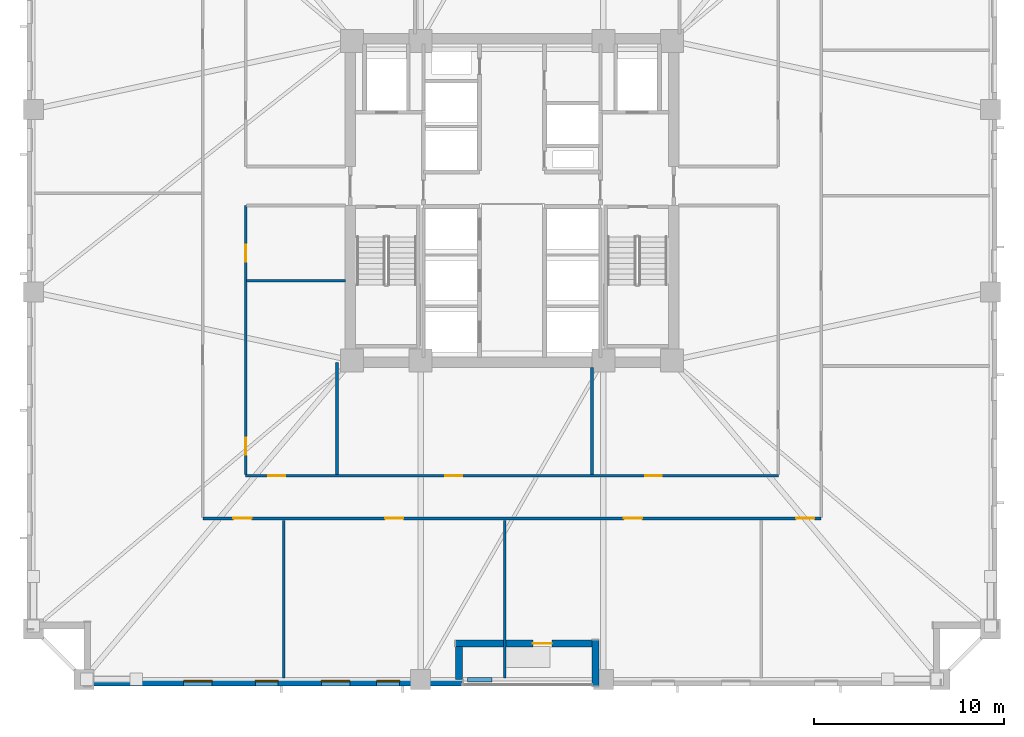
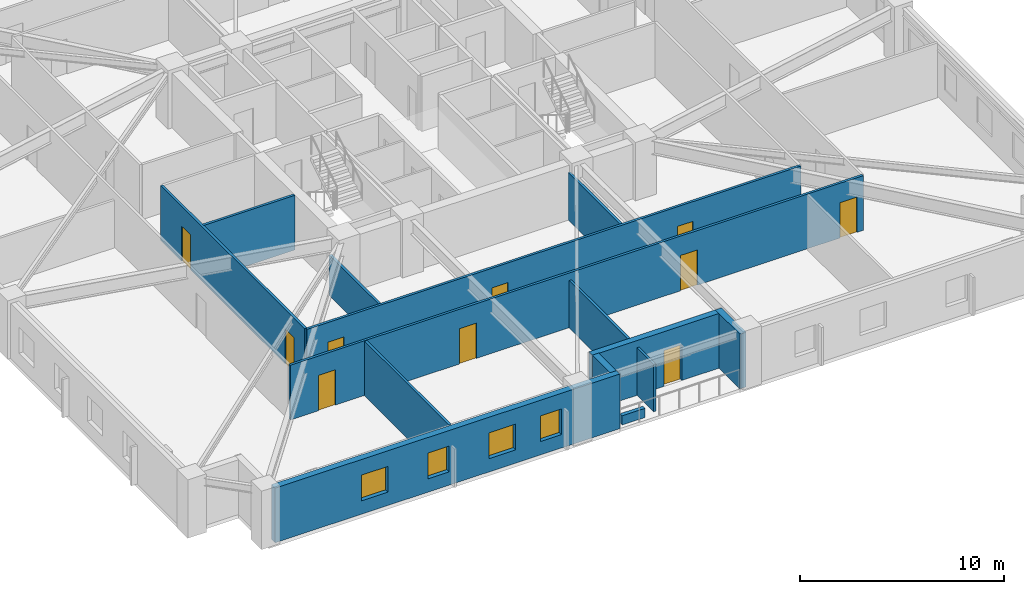
# One storey, part 2 of 11: 13 walls, 10 doors, 4 windows, 14 openings.
"""IFC4 building model written with IfcOpenShell, lengths in metres."""

import ifcopenshell
import ifcopenshell.guid

model = None  # the IFC model being written
_history = None  # IfcOwnerHistory: only IFC2X3 demands one
_inside = {}  # id of a spatial element -> (the spatial element, [elements in it])
_under = {}  # id of a project, library or spatial element -> (it, [spatial elements below it])
_declared = {}  # id of a project -> (the project, [libraries it declares])
_typed = {}  # id of a type object -> (the type object, [elements of that type])
_made_of = {}  # id of a material, layer set ... -> (it, [elements and type objects made of it])


def new_model(schema):
    """Start an empty IFC model of exactly this schema.

    Asked for "IFC4X3", IfcOpenShell would pick the latest addendum, in which some entities
    have other attributes; the version numbers below select the first issue.
    IFC2X3 requires an IfcOwnerHistory on every rooted entity: one is made here for all.
    """
    global model, _history
    if schema == "IFC4X3":
        model = ifcopenshell.file(schema_version=(4, 3, 0, 0))
    else:
        model = ifcopenshell.file(schema=schema)
    _inside.clear()
    _under.clear()
    _declared.clear()
    _typed.clear()
    _made_of.clear()
    _history = None
    if model.schema == "IFC2X3":
        org = make("IfcOrganization", Name="unknown")
        user = make(
            "IfcPersonAndOrganization",
            ThePerson=make("IfcPerson", FamilyName="unknown"),
            TheOrganization=org,
        )
        app = make(
            "IfcApplication",
            ApplicationDeveloper=org,
            Version="unknown",
            ApplicationFullName="unknown",
            ApplicationIdentifier="unknown",
        )
        _history = make(
            "IfcOwnerHistory",
            OwningUser=user,
            OwningApplication=app,
            ChangeAction="ADDED",
            CreationDate=0,
        )
    return model


def make(cls, **values):
    """One entity of the class cls with the attributes given. An attribute that is None is left unset."""
    return model.create_entity(
        cls, **{name: value for name, value in values.items() if value is not None}
    )


def rooted(cls, **values):
    """An entity with a GlobalId (a new one), such as an element, a storey or a relation."""
    return make(cls, GlobalId=ifcopenshell.guid.new(), OwnerHistory=_history, **values)


def si_unit(unit_type, name, prefix=None):
    """IfcSIUnit, for example si_unit("LENGTHUNIT", "METRE", prefix="MILLI")."""
    return make("IfcSIUnit", UnitType=unit_type, Prefix=prefix, Name=name)


def assignment(units):
    """IfcUnitAssignment: the units of a project."""
    return None if units is None else make("IfcUnitAssignment", Units=units)


def point(xyz):
    """IfcCartesianPoint."""
    return None if xyz is None else make("IfcCartesianPoint", Coordinates=xyz)


def direction(xyz):
    """IfcDirection."""
    return None if xyz is None else make("IfcDirection", DirectionRatios=xyz)


def frame(location, z_axis=None, x_axis=None):
    """IfcAxis2Placement3D, a coordinate frame: its origin and axes. An axis left out is left unset."""
    return make(
        "IfcAxis2Placement3D",
        Location=point(location),
        Axis=direction(z_axis),
        RefDirection=direction(x_axis),
    )


def frame_2d(location, x_axis=None):
    """IfcAxis2Placement2D, a coordinate frame in the plane: its origin and x axis."""
    return make(
        "IfcAxis2Placement2D", Location=point(location), RefDirection=direction(x_axis)
    )


def origin():
    """The frame at (0, 0, 0) with its axes left unset."""
    return frame((0.0, 0.0, 0.0))


def place(relative_to, where):
    """IfcLocalPlacement: puts the frame where relative to a parent placement (None: the world)."""
    return make(
        "IfcLocalPlacement", PlacementRelTo=relative_to, RelativePlacement=where
    )


def context(
    kind, dimensions, precision=None, world=None, true_north=None, identifier=None
):
    """IfcGeometricRepresentationContext, for example the 3D "Model" context."""
    return make(
        "IfcGeometricRepresentationContext",
        ContextIdentifier=identifier,
        ContextType=kind,
        CoordinateSpaceDimension=dimensions,
        Precision=precision,
        WorldCoordinateSystem=world,
        TrueNorth=true_north,
    )


def subcontext(parent, identifier, kind, view, scale=None):
    """IfcGeometricRepresentationSubContext, for example "Body" below "Model"."""
    return make(
        "IfcGeometricRepresentationSubContext",
        ContextIdentifier=identifier,
        ContextType=kind,
        ParentContext=parent,
        TargetScale=scale,
        TargetView=view,
    )


def project(units=None, contexts=None):
    """IfcProject with its units and contexts."""
    return rooted(
        "IfcProject",
        Name="project",
        RepresentationContexts=contexts,
        UnitsInContext=assignment(units),
    )


def spatial(cls, under=None, at=None, **own):
    """A site, building, storey or space (cls), placed at a placement, below another one or the project."""
    s = rooted(cls, ObjectPlacement=at, **own)
    if under is not None:
        _under.setdefault(under.id(), (under, []))[1].append(s)
    return s


def profile(cls, at=None, kind="AREA", **sizes):
    """A parametric profile (cls). Its sizes go by their IFC names, for example OverallWidth=200.0."""
    return make(cls, ProfileType=kind, Position=at, **sizes)


def rectangle(**sizes):
    """IfcRectangleProfileDef."""
    return profile("IfcRectangleProfileDef", **sizes)


def extrude(swept, where, along, depth):
    """IfcExtrudedAreaSolid: the profile swept, set in the frame where, extruded along a direction by depth."""
    return make(
        "IfcExtrudedAreaSolid",
        SweptArea=swept,
        Position=where,
        ExtrudedDirection=direction(along),
        Depth=depth,
    )


def shape(context_of_items, identifier, shape_type, items):
    """IfcShapeRepresentation: the items that make up one representation, for example the "Body"."""
    return make(
        "IfcShapeRepresentation",
        ContextOfItems=context_of_items,
        RepresentationIdentifier=identifier,
        RepresentationType=shape_type,
        Items=items,
    )


def material(Name=None, Category=None):
    """IfcMaterial."""
    return make("IfcMaterial", Name=Name, Category=Category)


def layer(
    of_material, thickness, ventilated=None, Name=None, Category=None, Priority=None
):
    """IfcMaterialLayer: one layer of a wall or slab, of a material (None: an air gap)."""
    return make(
        "IfcMaterialLayer",
        Material=of_material,
        LayerThickness=thickness,
        IsVentilated=ventilated,
        Name=Name,
        Category=Category,
        Priority=Priority,
    )


def layer_set(layers, Name=None):
    """IfcMaterialLayerSet."""
    return make("IfcMaterialLayerSet", MaterialLayers=layers, LayerSetName=Name)


def made_of(thing, what):
    """Note that an element or type object is made of a material, layer set ...; save() writes the relation."""
    if what is not None:
        _made_of.setdefault(what.id(), (what, []))[1].append(thing)
    return thing


def type_object(cls, material=None, **own):
    """A type object (cls), such as IfcWallType, which elements share."""
    return made_of(rooted(cls, **own), material)


def element(
    cls,
    number,
    at=None,
    inside=None,
    cuts=None,
    type_object=None,
    material=None,
    context=None,
    identifier="Body",
    shape_type=None,
    held_by="IfcProductDefinitionShape",
    body=None,
    shapes=None,
    **own,
):
    """One element of the class cls, such as IfcWall. Its Tag is "e" and its number.

    at: its placement. inside: the storey or other place that contains it. cuts: it is an
    opening in that element (IfcRelVoidsElement). A single representation is given by context,
    identifier, shape_type and body (its items); several are given by shapes. held_by: the class
    of the entity that holds the representations. save() writes the other relations.
    """
    e = rooted(cls, Tag="e%d" % number, ObjectPlacement=at, **own)
    if body is not None:
        shapes = [shape(context, identifier, shape_type, body)]
    if shapes is not None:
        e.Representation = make(held_by, Representations=shapes)
    if inside is not None:
        _inside.setdefault(inside.id(), (inside, []))[1].append(e)
    if cuts is not None:
        rooted(
            "IfcRelVoidsElement", RelatingBuildingElement=cuts, RelatedOpeningElement=e
        )
    if type_object is not None:
        _typed.setdefault(type_object.id(), (type_object, []))[1].append(e)
    return made_of(e, material)


def fill(opening, filler):
    """IfcRelFillsElement: the door or window that sits in an opening."""
    return rooted(
        "IfcRelFillsElement",
        RelatingOpeningElement=opening,
        RelatedBuildingElement=filler,
    )


def aggregate(whole, parts):
    """IfcRelAggregates: a whole, such as a stair, and the parts it consists of."""
    return rooted("IfcRelAggregates", RelatingObject=whole, RelatedObjects=parts)


def save(model, path):
    """Write the relations noted so far, then the file.

    IfcRelAggregates (storeys below a building ...), IfcRelContainedInSpatialStructure (elements
    in a storey), IfcRelDefinesByType, IfcRelAssociatesMaterial and IfcRelDeclares: one each for
    every whole, place, type object, material and project.
    """
    for whole, parts in _under.values():
        aggregate(whole, parts)
    for where, things in _inside.values():
        rooted(
            "IfcRelContainedInSpatialStructure",
            RelatedElements=things,
            RelatingStructure=where,
        )
    for kind, things in _typed.values():
        rooted("IfcRelDefinesByType", RelatedObjects=things, RelatingType=kind)
    for what, things in _made_of.values():
        rooted("IfcRelAssociatesMaterial", RelatedObjects=things, RelatingMaterial=what)
    for by, libraries in _declared.values():
        rooted("IfcRelDeclares", RelatingContext=by, RelatedDefinitions=libraries)
    model.write(path)


model = new_model("IFC4")

# Units and contexts
model_context = context("Model", 3, precision=1e-05, world=origin(), true_north=direction((0.0, 1.0)))
body_context = subcontext(model_context, "Body", "Model", "MODEL_VIEW")
ifc_project = project(units=[si_unit("LENGTHUNIT", "METRE"), si_unit("AREAUNIT", "SQUARE_METRE"), si_unit("VOLUMEUNIT", "CUBIC_METRE"), si_unit("PLANEANGLEUNIT", "RADIAN"), si_unit("MASSUNIT", "GRAM", prefix="KILO")], contexts=[model_context])

# Site, building, storey
site_placement = place(None, origin())
site = spatial("IfcSite", under=ifc_project, at=site_placement, CompositionType="ELEMENT")
building_placement = place(site_placement, origin())
building = spatial("IfcBuilding", under=site, at=building_placement, Name="Cairnveth Concourse Tower", CompositionType="ELEMENT")
storey_placement = place(building_placement, frame((0.0, 0.0, 41.0)))
storey = spatial("IfcBuildingStorey", under=building, at=storey_placement, Name="L10", CompositionType="ELEMENT", Elevation=41.0)

# Wall, openings, doors
ifc_material_1 = material(Name="Gypsum Plasterboard Partition", Category="gypsum")
ifc_layer_1 = layer(ifc_material_1, 0.139892578125)
ifc_layer_set_1 = layer_set([ifc_layer_1], Name="Gypsum Plasterboard Partition")
wall_type_1 = type_object("IfcWallType", Name="GYPSUM STUD PARTITION 140", PredefinedType="PARTITIONING", material=ifc_layer_set_1)
wall_1_placement = place(storey_placement, frame((35.75, 22.300048828125, 0.0), z_axis=(0.0, 0.0, 1.0), x_axis=(1.0, 0.0, 0.0)))
wall_1 = element("IfcWall", 1, at=wall_1_placement, inside=storey, type_object=wall_type_1, Name="Interior Wall IW-L10-037", PredefinedType="PARTITIONING", context=body_context, shape_type="SweptSolid", body=[
    extrude(rectangle(XDim=32.5, YDim=0.139892578125, at=frame_2d((16.25, 0.0))), origin(), (0.0, 0.0, 1.0), 3.280029296875),
])
opening_1_placement = place(wall_1_placement, frame((1.603759765625, 0.0, 0.0)))
opening_1 = element("IfcOpeningElement", 2, at=opening_1_placement, cuts=wall_1, Name="Opening ID11", PredefinedType="OPENING", context=body_context, shape_type="SweptSolid", body=[
    extrude(rectangle(XDim=0.9599609375, YDim=2.1201171875, at=frame_2d((0.47998046875, 1.06005859375))), frame((0.0, 0.079833984375, 0.0), z_axis=(0.0, -1.0, 0.0), x_axis=(1.0, 0.0, 0.0)), (0.0, 0.0, 1.0), 0.159912109375),
])
opening_2_placement = place(wall_1_placement, frame((9.5849609375, 0.0, 0.0)))
opening_2 = element("IfcOpeningElement", 3, at=opening_2_placement, cuts=wall_1, Name="Opening ID11", PredefinedType="OPENING", context=body_context, shape_type="SweptSolid", body=[
    extrude(rectangle(XDim=0.9599609375, YDim=2.1201171875, at=frame_2d((0.47998046875, 1.06005859375))), frame((0.0, 0.079833984375, 0.0), z_axis=(0.0, -1.0, 0.0), x_axis=(1.0, 0.0, 0.0)), (0.0, 0.0, 1.0), 0.159912109375),
])
opening_3_placement = place(wall_1_placement, frame((22.125, 0.0, 0.0)))
opening_3 = element("IfcOpeningElement", 4, at=opening_3_placement, cuts=wall_1, Name="Opening ID11", PredefinedType="OPENING", context=body_context, shape_type="SweptSolid", body=[
    extrude(rectangle(XDim=0.9599609375, YDim=2.1201171875, at=frame_2d((0.47998046875, 1.06005859375))), frame((0.0, 0.079833984375, 0.0), z_axis=(0.0, -1.0, 0.0), x_axis=(1.0, 0.0, 0.0)), (0.0, 0.0, 1.0), 0.159912109375),
])
opening_4_placement = place(wall_1_placement, frame((31.179931640625, 0.0, 0.0)))
opening_4 = element("IfcOpeningElement", 5, at=opening_4_placement, cuts=wall_1, Name="Opening ID11", PredefinedType="OPENING", context=body_context, shape_type="SweptSolid", body=[
    extrude(rectangle(XDim=0.9599609375, YDim=2.1201171875, at=frame_2d((0.47998046875, 1.06005859375))), frame((0.0, 0.079833984375, 0.0), z_axis=(0.0, -1.0, 0.0), x_axis=(1.0, 0.0, 0.0)), (0.0, 0.0, 1.0), 0.159912109375),
])
ifc_material_2 = material(Name="Solid Core Hardwood Timber Leaf", Category="wood")
door_type_1 = type_object("IfcDoorType", Name="INTERIOR SINGLE DOOR 960X2150", OperationType="NOTDEFINED", PredefinedType="DOOR", material=ifc_material_2)
door_1_placement = place(opening_1_placement, origin())
door_1 = element("IfcDoor", 6, at=door_1_placement, inside=storey, type_object=door_type_1, Name="Office Door L10-S1", OperationType="SINGLE_SWING_RIGHT", OverallHeight=2.1201171875, OverallWidth=0.9599609375, PredefinedType="DOOR", context=body_context, shape_type="SweptSolid", body=[
    extrude(rectangle(XDim=0.9599609375, YDim=2.1201171875, at=frame_2d((0.47998046875, 1.06005859375))), frame((0.0, 0.02490234375, 0.0), z_axis=(0.0, -1.0, 0.0), x_axis=(1.0, 0.0, 0.0)), (0.0, 0.0, 1.0), 0.050048828125),
])
fill(opening_1, door_1)
door_2_placement = place(opening_2_placement, origin())
door_2 = element("IfcDoor", 7, at=door_2_placement, inside=storey, type_object=door_type_1, Name="Office Door L10-S2", OperationType="SINGLE_SWING_LEFT", OverallHeight=2.1201171875, OverallWidth=0.9599609375, PredefinedType="DOOR", context=body_context, shape_type="SweptSolid", body=[
    extrude(rectangle(XDim=0.9599609375, YDim=2.1201171875, at=frame_2d((0.47998046875, 1.06005859375))), frame((0.0, 0.02490234375, 0.0), z_axis=(0.0, -1.0, 0.0), x_axis=(1.0, 0.0, 0.0)), (0.0, 0.0, 1.0), 0.050048828125),
])
fill(opening_2, door_2)
door_3_placement = place(opening_3_placement, origin())
door_3 = element("IfcDoor", 8, at=door_3_placement, inside=storey, type_object=door_type_1, Name="Office Door L10-S3", OperationType="SINGLE_SWING_RIGHT", OverallHeight=2.1201171875, OverallWidth=0.9599609375, PredefinedType="DOOR", context=body_context, shape_type="SweptSolid", body=[
    extrude(rectangle(XDim=0.9599609375, YDim=2.1201171875, at=frame_2d((0.47998046875, 1.06005859375))), frame((0.0, 0.02490234375, 0.0), z_axis=(0.0, -1.0, 0.0), x_axis=(1.0, 0.0, 0.0)), (0.0, 0.0, 1.0), 0.050048828125),
])
fill(opening_3, door_3)
door_4_placement = place(opening_4_placement, origin())
door_4 = element("IfcDoor", 9, at=door_4_placement, inside=storey, type_object=door_type_1, Name="Office Door L10-S4", OperationType="SINGLE_SWING_LEFT", OverallHeight=2.1201171875, OverallWidth=0.9599609375, PredefinedType="DOOR", context=body_context, shape_type="SweptSolid", body=[
    extrude(rectangle(XDim=0.9599609375, YDim=2.1201171875, at=frame_2d((0.47998046875, 1.06005859375))), frame((0.0, 0.02490234375, 0.0), z_axis=(0.0, -1.0, 0.0), x_axis=(1.0, 0.0, 0.0)), (0.0, 0.0, 1.0), 0.050048828125),
])
fill(opening_4, door_4)

wall_2_placement = place(storey_placement, frame((38.0, 24.550048828125, 0.0), z_axis=(0.0, 0.0, 1.0), x_axis=(1.0, 0.0, 0.0)))
wall_2 = element("IfcWall", 10, at=wall_2_placement, inside=storey, type_object=wall_type_1, Name="Interior Wall IW-L10-041", PredefinedType="PARTITIONING", context=body_context, shape_type="SweptSolid", body=[
    extrude(rectangle(XDim=28.0, YDim=0.139892578125, at=frame_2d((14.0, 0.0))), origin(), (0.0, 0.0, 1.0), 3.280029296875),
])
opening_5_placement = place(wall_2_placement, frame((1.199951171875, 0.0, 0.0)))
opening_5 = element("IfcOpeningElement", 11, at=opening_5_placement, cuts=wall_2, Name="Opening ID18", PredefinedType="OPENING", context=body_context, shape_type="SweptSolid", body=[
    extrude(rectangle(XDim=0.8798828125, YDim=2.10009765625, at=frame_2d((0.43994140625, 1.050048828125))), frame((0.0, 0.079833984375, 0.0), z_axis=(0.0, -1.0, 0.0), x_axis=(1.0, 0.0, 0.0)), (0.0, 0.0, 1.0), 0.159912109375),
])
opening_6_placement = place(wall_2_placement, frame((10.5, 0.0, 0.0)))
opening_6 = element("IfcOpeningElement", 12, at=opening_6_placement, cuts=wall_2, Name="Opening ID18", PredefinedType="OPENING", context=body_context, shape_type="SweptSolid", body=[
    extrude(rectangle(XDim=0.8798828125, YDim=2.10009765625, at=frame_2d((0.43994140625, 1.050048828125))), frame((0.0, 0.079833984375, 0.0), z_axis=(0.0, -1.0, 0.0), x_axis=(1.0, 0.0, 0.0)), (0.0, 0.0, 1.0), 0.159912109375),
])
opening_7_placement = place(wall_2_placement, frame((21.0, 0.0, 0.0)))
opening_7 = element("IfcOpeningElement", 13, at=opening_7_placement, cuts=wall_2, Name="Opening ID18", PredefinedType="OPENING", context=body_context, shape_type="SweptSolid", body=[
    extrude(rectangle(XDim=0.8798828125, YDim=2.10009765625, at=frame_2d((0.43994140625, 1.050048828125))), frame((0.0, 0.079833984375, 0.0), z_axis=(0.0, -1.0, 0.0), x_axis=(1.0, 0.0, 0.0)), (0.0, 0.0, 1.0), 0.159912109375),
])
door_type_2 = type_object("IfcDoorType", Name="INTERIOR SINGLE DOOR 880X2100", OperationType="NOTDEFINED", PredefinedType="DOOR", material=ifc_material_2)
door_5_placement = place(opening_5_placement, origin())
door_5 = element("IfcDoor", 14, at=door_5_placement, inside=storey, type_object=door_type_2, Name="Interior Door DR-L10-013", OperationType="SINGLE_SWING_LEFT", OverallHeight=2.10009765625, OverallWidth=0.8798828125, PredefinedType="DOOR", context=body_context, shape_type="SweptSolid", body=[
    extrude(rectangle(XDim=0.8798828125, YDim=2.10009765625, at=frame_2d((0.43994140625, 1.050048828125))), frame((0.0, 0.02490234375, 0.0), z_axis=(0.0, -1.0, 0.0), x_axis=(1.0, 0.0, 0.0)), (0.0, 0.0, 1.0), 0.050048828125),
])
fill(opening_5, door_5)
door_6_placement = place(opening_6_placement, origin())
door_6 = element("IfcDoor", 15, at=door_6_placement, inside=storey, type_object=door_type_2, Name="Interior Door DR-L10-014", OperationType="SINGLE_SWING_RIGHT", OverallHeight=2.10009765625, OverallWidth=0.8798828125, PredefinedType="DOOR", context=body_context, shape_type="SweptSolid", body=[
    extrude(rectangle(XDim=0.8798828125, YDim=2.10009765625, at=frame_2d((0.43994140625, 1.050048828125))), frame((0.0, 0.02490234375, 0.0), z_axis=(0.0, -1.0, 0.0), x_axis=(1.0, 0.0, 0.0)), (0.0, 0.0, 1.0), 0.050048828125),
])
fill(opening_6, door_6)
door_7_placement = place(opening_7_placement, origin())
door_7 = element("IfcDoor", 16, at=door_7_placement, inside=storey, type_object=door_type_2, Name="Interior Door DR-L10-015", OperationType="SINGLE_SWING_LEFT", OverallHeight=2.10009765625, OverallWidth=0.8798828125, PredefinedType="DOOR", context=body_context, shape_type="SweptSolid", body=[
    extrude(rectangle(XDim=0.8798828125, YDim=2.10009765625, at=frame_2d((0.43994140625, 1.050048828125))), frame((0.0, 0.02490234375, 0.0), z_axis=(0.0, -1.0, 0.0), x_axis=(1.0, 0.0, 0.0)), (0.0, 0.0, 1.0), 0.050048828125),
])
fill(opening_7, door_7)

wall_3_placement = place(storey_placement, frame((38.0, 24.60498046875, 0.0), z_axis=(0.0, 0.0, 1.0), x_axis=(0.0, 1.0, 0.0)))
wall_3 = element("IfcWall", 17, at=wall_3_placement, inside=storey, type_object=wall_type_1, Name="Interior Wall IW-L10-043", PredefinedType="PARTITIONING", context=body_context, shape_type="SweptSolid", body=[
    extrude(rectangle(XDim=14.14501953125, YDim=0.139892578125, at=frame_2d((7.072509765625, 0.0))), origin(), (0.0, 0.0, 1.0), 3.280029296875),
])
opening_8_placement = place(wall_3_placement, frame((1.044921875, 0.0, 0.0)))
opening_8 = element("IfcOpeningElement", 18, at=opening_8_placement, cuts=wall_3, Name="Opening ID18", PredefinedType="OPENING", context=body_context, shape_type="SweptSolid", body=[
    extrude(rectangle(XDim=0.8798828125, YDim=2.10009765625, at=frame_2d((0.43994140625, 1.050048828125))), frame((0.0, 0.079833984375, 0.0), z_axis=(0.0, -1.0, 0.0), x_axis=(1.0, 0.0, 0.0)), (0.0, 0.0, 1.0), 0.159912109375),
])
opening_9_placement = place(wall_3_placement, frame((11.195068359375, 0.0, 0.0)))
opening_9 = element("IfcOpeningElement", 19, at=opening_9_placement, cuts=wall_3, Name="Opening ID18", PredefinedType="OPENING", context=body_context, shape_type="SweptSolid", body=[
    extrude(rectangle(XDim=0.8798828125, YDim=2.10009765625, at=frame_2d((0.43994140625, 1.050048828125))), frame((0.0, 0.079833984375, 0.0), z_axis=(0.0, -1.0, 0.0), x_axis=(1.0, 0.0, 0.0)), (0.0, 0.0, 1.0), 0.159912109375),
])
door_8_placement = place(opening_8_placement, origin())
door_8 = element("IfcDoor", 20, at=door_8_placement, inside=storey, type_object=door_type_2, Name="Interior Door DR-L10-019", OperationType="SINGLE_SWING_LEFT", OverallHeight=2.10009765625, OverallWidth=0.8798828125, PredefinedType="DOOR", context=body_context, shape_type="SweptSolid", body=[
    extrude(rectangle(XDim=0.8798828125, YDim=2.10009765625, at=frame_2d((0.43994140625, 1.050048828125))), frame((0.0, 0.02490234375, 0.0), z_axis=(0.0, -1.0, 0.0), x_axis=(1.0, 0.0, 0.0)), (0.0, 0.0, 1.0), 0.050048828125),
])
fill(opening_8, door_8)
door_9_placement = place(opening_9_placement, origin())
door_9 = element("IfcDoor", 21, at=door_9_placement, inside=storey, type_object=door_type_2, Name="Interior Door DR-L10-020", OperationType="SINGLE_SWING_RIGHT", OverallHeight=2.10009765625, OverallWidth=0.8798828125, PredefinedType="DOOR", context=body_context, shape_type="SweptSolid", body=[
    extrude(rectangle(XDim=0.8798828125, YDim=2.10009765625, at=frame_2d((0.43994140625, 1.050048828125))), frame((0.0, 0.02490234375, 0.0), z_axis=(0.0, -1.0, 0.0), x_axis=(1.0, 0.0, 0.0)), (0.0, 0.0, 1.0), 0.050048828125),
])
fill(opening_9, door_9)

# Walls
wall_4_placement = place(storey_placement, frame((42.800048828125, 24.60498046875, 0.0), z_axis=(0.0, 0.0, 1.0), x_axis=(0.0, 1.0, 0.0)))
element("IfcWall", 22, at=wall_4_placement, inside=storey, type_object=wall_type_1, Name="Interior Wall IW-L10-051", PredefinedType="PARTITIONING", context=body_context, shape_type="SweptSolid", body=[
    extrude(rectangle(XDim=5.89501953125, YDim=0.139892578125, at=frame_2d((2.947509765625, 0.0))), origin(), (0.0, 0.0, 1.0), 2.43896484375),
])
wall_5_placement = place(storey_placement, frame((56.199951171875, 24.60498046875, 0.0), z_axis=(0.0, 0.0, 1.0), x_axis=(0.0, 1.0, 0.0)))
element("IfcWall", 23, at=wall_5_placement, inside=storey, type_object=wall_type_1, Name="Interior Wall IW-L10-052", PredefinedType="PARTITIONING", context=body_context, shape_type="SweptSolid", body=[
    extrude(rectangle(XDim=5.635009765625, YDim=0.139892578125, at=frame_2d((2.8173828125, 0.0))), origin(), (0.0, 0.0, 1.0), 2.84912109375),
])
wall_6_placement = place(storey_placement, frame((38.054931640625, 34.800048828125, 0.0), z_axis=(0.0, 0.0, 1.0), x_axis=(1.0, 0.0, 0.0)))
element("IfcWall", 24, at=wall_6_placement, inside=storey, type_object=wall_type_1, Name="Interior Wall IW-L10-055", PredefinedType="PARTITIONING", context=body_context, shape_type="SweptSolid", body=[
    extrude(rectangle(XDim=5.18505859375, YDim=0.139892578125, at=frame_2d((2.592529296875, 0.0))), origin(), (0.0, 0.0, 1.0), 3.280029296875),
])
wall_7_placement = place(storey_placement, frame((40.012451171875, 13.919921875, 0.0), z_axis=(0.0, 0.0, 1.0), x_axis=(0.0, 1.0, 0.0)))
element("IfcWall", 25, at=wall_7_placement, inside=storey, type_object=wall_type_1, Name="Interior Wall IW-L10-056", PredefinedType="PARTITIONING", context=body_context, shape_type="SweptSolid", body=[
    extrude(rectangle(XDim=8.280029296875, YDim=0.139892578125, at=frame_2d((4.14013671875, 0.0))), origin(), (0.0, 0.0, 1.0), 3.280029296875),
])
wall_8_placement = place(storey_placement, frame((51.617431640625, 13.919921875, 0.0), z_axis=(0.0, 0.0, 1.0), x_axis=(0.0, 1.0, 0.0)))
element("IfcWall", 26, at=wall_8_placement, inside=storey, type_object=wall_type_1, Name="Interior Wall IW-L10-057", PredefinedType="PARTITIONING", context=body_context, shape_type="SweptSolid", body=[
    extrude(rectangle(XDim=8.280029296875, YDim=0.139892578125, at=frame_2d((4.14013671875, 0.0))), origin(), (0.0, 0.0, 1.0), 2.84912109375),
])
ifc_material_3 = material(Name="Dressed Melbourne Bluestone Cladding", Category="masonry")
ifc_layer_2 = layer(ifc_material_3, 0.219970703125)
ifc_layer_set_2 = layer_set([ifc_layer_2], Name="Dressed Melbourne Bluestone Cladding")
wall_type_2 = type_object("IfcWallType", Name="TERRACE PLANTER CURB WALL 220", PredefinedType="PARAPET", material=ifc_layer_set_2)
wall_9_placement = place(storey_placement, frame((49.64990234375, 13.820068359375, 0.0), z_axis=(0.0, 0.0, 1.0), x_axis=(1.0, 0.0, 0.0)))
element("IfcWall", 27, at=wall_9_placement, inside=storey, type_object=wall_type_2, Name="Exterior Wall PLNT-L10-TERR", PredefinedType="PARAPET", context=body_context, shape_type="SweptSolid", body=[
    extrude(rectangle(XDim=1.300048828125, YDim=0.219970703125, at=frame_2d((0.64990234375, 0.0))), origin(), (0.0, 0.0, 1.0), 0.550048828125),
])

# Wall, openings, windows
ifc_material_4 = material(Name="Hawthorn Red-Ochre Fired Clay Brick Masonry", Category="masonry")
ifc_layer_3 = layer(ifc_material_4, 0.360107421875)
ifc_layer_set_3 = layer_set([ifc_layer_3], Name="Hawthorn Red-Ochre Fired Clay Brick Masonry")
wall_type_3 = type_object("IfcWallType", Name="ZONE 1 BRICK PIER SPANDREL WALL 360", PredefinedType="SOLIDWALL", material=ifc_layer_set_3)
wall_10_placement = place(storey_placement, frame((49.39990234375, 13.679931640625, 0.0), z_axis=(0.0, 0.0, 1.0), x_axis=(-1.0, 0.0, 0.0)))
wall_10 = element("IfcWall", 28, at=wall_10_placement, inside=storey, type_object=wall_type_3, Name="Exterior Wall EW-L10-S00", PredefinedType="SOLIDWALL", context=body_context, shape_type="SweptSolid", body=[
    extrude(rectangle(XDim=19.56201171875, YDim=0.360107421875, at=frame_2d((9.781005859375, 0.0))), origin(), (0.0, 0.0, 1.0), 3.280029296875),
])
opening_10_placement = place(wall_10_placement, frame((3.3076171875, 0.0, 0.800048828125)))
opening_10 = element("IfcOpeningElement", 29, at=opening_10_placement, cuts=wall_10, Name="Opening W01", PredefinedType="OPENING", context=body_context, shape_type="SweptSolid", body=[
    extrude(rectangle(XDim=1.199951171875, YDim=1.5439453125, at=frame_2d((0.60009765625, 0.77197265625))), frame((0.0, 0.18994140625, 0.0), z_axis=(0.0, -1.0, 0.0), x_axis=(1.0, 0.0, 0.0)), (0.0, 0.0, 1.0), 0.380126953125),
])
opening_11_placement = place(wall_10_placement, frame((5.923095703125, 0.0, 0.800048828125)))
opening_11 = element("IfcOpeningElement", 30, at=opening_11_placement, cuts=wall_10, Name="Opening W03", PredefinedType="OPENING", context=body_context, shape_type="SweptSolid", body=[
    extrude(rectangle(XDim=1.5, YDim=1.5439453125, at=frame_2d((0.75, 0.77197265625))), frame((0.0, 0.18994140625, 0.0), z_axis=(0.0, -1.0, 0.0), x_axis=(1.0, 0.0, 0.0)), (0.0, 0.0, 1.0), 0.380126953125),
])
opening_12_placement = place(wall_10_placement, frame((9.688720703125, 0.0, 0.800048828125)))
opening_12 = element("IfcOpeningElement", 31, at=opening_12_placement, cuts=wall_10, Name="Opening W01", PredefinedType="OPENING", context=body_context, shape_type="SweptSolid", body=[
    extrude(rectangle(XDim=1.199951171875, YDim=1.5439453125, at=frame_2d((0.60009765625, 0.77197265625))), frame((0.0, 0.18994140625, 0.0), z_axis=(0.0, -1.0, 0.0), x_axis=(1.0, 0.0, 0.0)), (0.0, 0.0, 1.0), 0.380126953125),
])
opening_13_placement = place(wall_10_placement, frame((13.154296875, 0.0, 0.800048828125)))
opening_13 = element("IfcOpeningElement", 32, at=opening_13_placement, cuts=wall_10, Name="Opening W03", PredefinedType="OPENING", context=body_context, shape_type="SweptSolid", body=[
    extrude(rectangle(XDim=1.5, YDim=1.5439453125, at=frame_2d((0.75, 0.77197265625))), frame((0.0, 0.18994140625, 0.0), z_axis=(0.0, -1.0, 0.0), x_axis=(1.0, 0.0, 0.0)), (0.0, 0.0, 1.0), 0.380126953125),
])
ifc_material_5 = material(Name="Double Glazed Low-E Clear Glass", Category="glass")
window_type_1 = type_object("IfcWindowType", Name="DEEP-SET GOTHIC LANCET WINDOW 1200X1800", PartitioningType="DOUBLE_PANEL_VERTICAL", PredefinedType="WINDOW", material=ifc_material_5)
window_1_placement = place(opening_10_placement, origin())
window_1 = element("IfcWindow", 33, at=window_1_placement, inside=storey, type_object=window_type_1, Name="Gothic Lancet Window L10-0-1", OverallHeight=1.5439453125, OverallWidth=1.199951171875, PartitioningType="SINGLE_PANEL", PredefinedType="WINDOW", context=body_context, shape_type="SweptSolid", body=[
    extrude(rectangle(XDim=1.199951171875, YDim=1.5439453125, at=frame_2d((0.60009765625, 0.77197265625))), frame((0.0, -0.050048828125, 0.0), z_axis=(0.0, -1.0, 0.0), x_axis=(1.0, 0.0, 0.0)), (0.0, 0.0, 1.0), 0.06005859375),
])
fill(opening_10, window_1)
window_2_placement = place(opening_12_placement, origin())
window_2 = element("IfcWindow", 34, at=window_2_placement, inside=storey, type_object=window_type_1, Name="Gothic Lancet Window L10-0-3", OverallHeight=1.5439453125, OverallWidth=1.199951171875, PartitioningType="SINGLE_PANEL", PredefinedType="WINDOW", context=body_context, shape_type="SweptSolid", body=[
    extrude(rectangle(XDim=1.199951171875, YDim=1.5439453125, at=frame_2d((0.60009765625, 0.77197265625))), frame((0.0, -0.050048828125, 0.0), z_axis=(0.0, -1.0, 0.0), x_axis=(1.0, 0.0, 0.0)), (0.0, 0.0, 1.0), 0.06005859375),
])
fill(opening_12, window_2)
window_type_2 = type_object("IfcWindowType", Name="DEEP-SET GOTHIC LANCET WINDOW 1500X1800", PartitioningType="DOUBLE_PANEL_VERTICAL", PredefinedType="WINDOW", material=ifc_material_5)
window_3_placement = place(opening_11_placement, origin())
window_3 = element("IfcWindow", 35, at=window_3_placement, inside=storey, type_object=window_type_2, Name="Gothic Lancet Window L10-0-2", OverallHeight=1.5439453125, OverallWidth=1.5, PartitioningType="SINGLE_PANEL", PredefinedType="WINDOW", context=body_context, shape_type="SweptSolid", body=[
    extrude(rectangle(XDim=1.5, YDim=1.5439453125, at=frame_2d((0.75, 0.77197265625))), frame((0.0, -0.050048828125, 0.0), z_axis=(0.0, -1.0, 0.0), x_axis=(1.0, 0.0, 0.0)), (0.0, 0.0, 1.0), 0.06005859375),
])
fill(opening_11, window_3)
window_4_placement = place(opening_13_placement, origin())
window_4 = element("IfcWindow", 36, at=window_4_placement, inside=storey, type_object=window_type_2, Name="Gothic Lancet Window L10-0-4", OverallHeight=1.5439453125, OverallWidth=1.5, PartitioningType="SINGLE_PANEL", PredefinedType="WINDOW", context=body_context, shape_type="SweptSolid", body=[
    extrude(rectangle(XDim=1.5, YDim=1.5439453125, at=frame_2d((0.75, 0.77197265625))), frame((0.0, -0.050048828125, 0.0), z_axis=(0.0, -1.0, 0.0), x_axis=(1.0, 0.0, 0.0)), (0.0, 0.0, 1.0), 0.06005859375),
])
fill(opening_13, window_4)

# Wall
wall_11_placement = place(storey_placement, frame((56.3798828125, 13.5, 0.0), z_axis=(0.0, 0.0, 1.0), x_axis=(0.0, 1.0, 0.0)))
element("IfcWall", 37, at=wall_11_placement, inside=storey, type_object=wall_type_3, Name="Exterior Wall EW-L10-S13", PredefinedType="SOLIDWALL", context=body_context, shape_type="SweptSolid", body=[
    extrude(rectangle(XDim=2.409912109375, YDim=0.360107421875, at=frame_2d((1.205078125, 0.0))), origin(), (0.0, 0.0, 1.0), 3.280029296875),
])

# Wall, opening, door
wall_12_placement = place(storey_placement, frame((56.221923828125, 15.72998046875, 0.0), z_axis=(0.0, 0.0, 1.0), x_axis=(-1.0, 0.0, 0.0)))
wall_12 = element("IfcWall", 38, at=wall_12_placement, inside=storey, type_object=wall_type_3, Name="Exterior Wall EW-L10-S14", PredefinedType="SOLIDWALL", context=body_context, shape_type="SweptSolid", body=[
    extrude(rectangle(XDim=7.181884765625, YDim=0.360107421875, at=frame_2d((3.5908203125, 0.0))), origin(), (0.0, 0.0, 1.0), 3.280029296875),
])
opening_14_placement = place(wall_12_placement, frame((2.127197265625, 0.0, 0.0)))
opening_14 = element("IfcOpeningElement", 39, at=opening_14_placement, cuts=wall_12, Name="Opening ED4", PredefinedType="OPENING", context=body_context, shape_type="SweptSolid", body=[
    extrude(rectangle(XDim=1.0, YDim=2.14990234375, at=frame_2d((0.5, 1.074951171875))), frame((0.0, 0.18994140625, 0.0), z_axis=(0.0, -1.0, 0.0), x_axis=(1.0, 0.0, 0.0)), (0.0, 0.0, 1.0), 0.380126953125),
])
ifc_material_6 = material(Name="Architectural Bronze Anodised Aluminium 6063-T6", Category="aluminium")
door_type_3 = type_object("IfcDoorType", Name="TERRACE GLAZED DOOR 1000X2150", OperationType="NOTDEFINED", PredefinedType="DOOR", material=ifc_material_6)
door_10_placement = place(opening_14_placement, origin())
door_10 = element("IfcDoor", 40, at=door_10_placement, inside=storey, type_object=door_type_3, Name="Spiral Terrace Door L10", OperationType="SINGLE_SWING_LEFT", OverallHeight=2.14990234375, OverallWidth=1.0, PredefinedType="DOOR", context=body_context, shape_type="SweptSolid", body=[
    extrude(rectangle(XDim=1.0, YDim=2.14990234375, at=frame_2d((0.5, 1.074951171875))), frame((0.0, 0.02490234375, 0.0), z_axis=(0.0, -1.0, 0.0), x_axis=(1.0, 0.0, 0.0)), (0.0, 0.0, 1.0), 0.050048828125),
])
fill(opening_14, door_10)

# Wall
wall_13_placement = place(storey_placement, frame((49.219970703125, 15.572021484375, 0.0), z_axis=(0.0, 0.0, 1.0), x_axis=(0.0, -1.0, 0.0)))
element("IfcWall", 41, at=wall_13_placement, inside=storey, type_object=wall_type_3, Name="Exterior Wall EW-L10-S15", PredefinedType="SOLIDWALL", context=body_context, shape_type="SweptSolid", body=[
    extrude(rectangle(XDim=1.734130859375, YDim=0.360107421875, at=frame_2d((0.8671875, 0.0))), origin(), (0.0, 0.0, 1.0), 3.280029296875),
])

save(model, "model.ifc")
